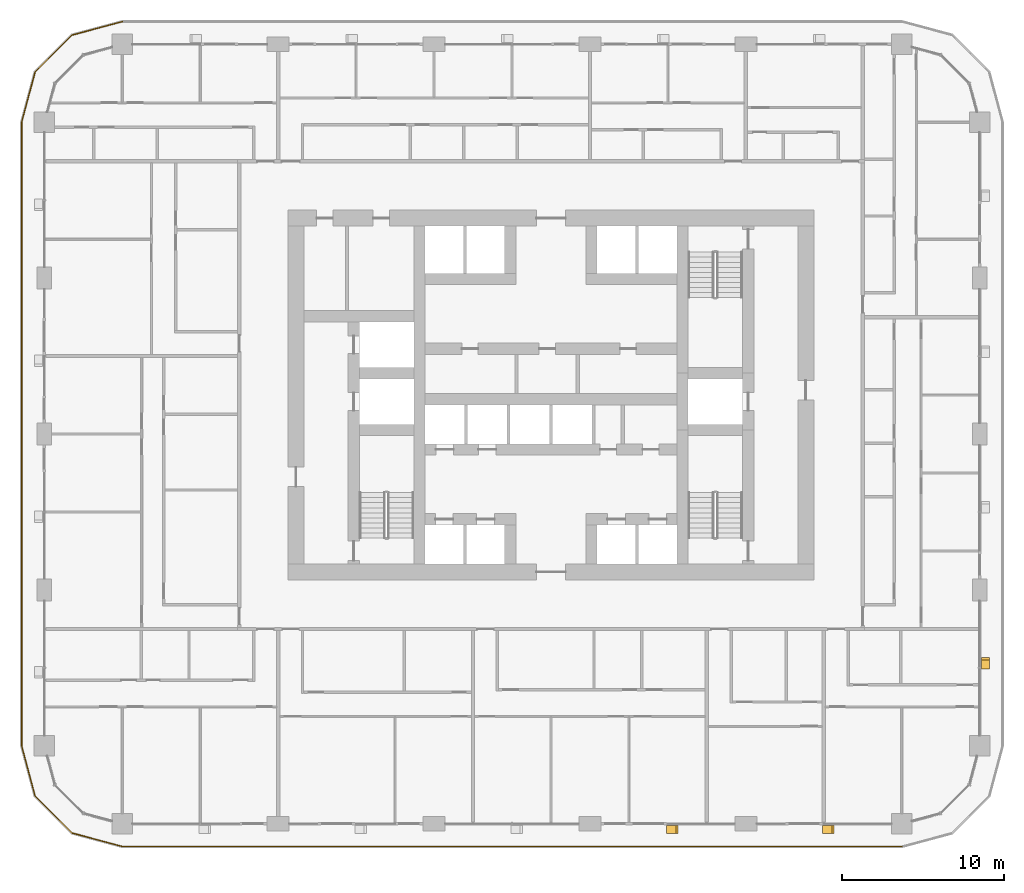
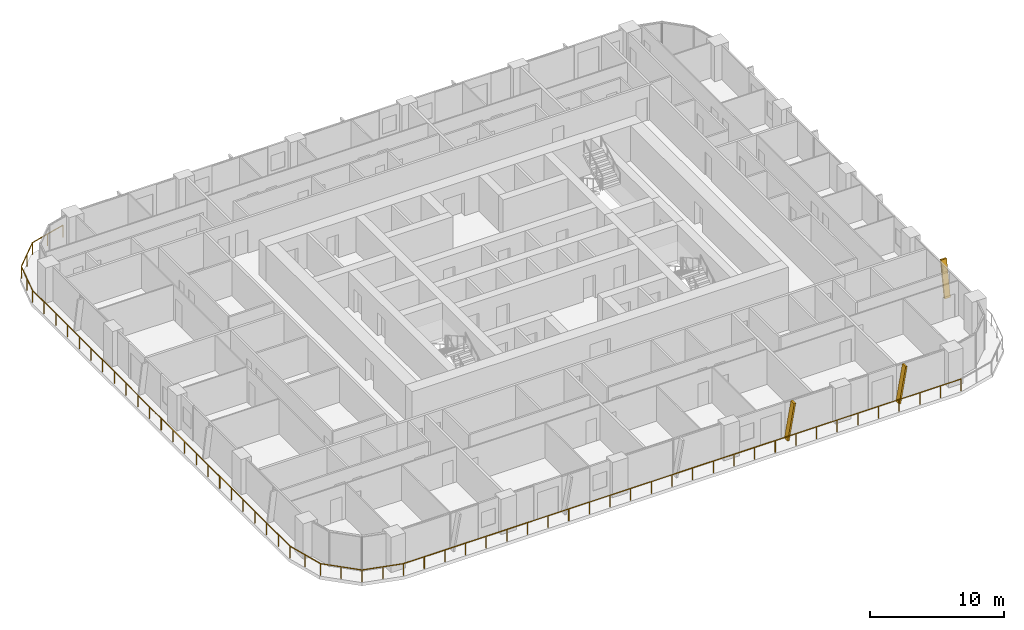
# One storey, part 18 of 21: 3 shading devices, 1 railing.
"""IFC4 building model written with IfcOpenShell, lengths in metres."""

import ifcopenshell
import ifcopenshell.guid

model = None  # the IFC model being written
_history = None  # IfcOwnerHistory: only IFC2X3 demands one
_inside = {}  # id of a spatial element -> (the spatial element, [elements in it])
_under = {}  # id of a project, library or spatial element -> (it, [spatial elements below it])
_declared = {}  # id of a project -> (the project, [libraries it declares])
_typed = {}  # id of a type object -> (the type object, [elements of that type])
_made_of = {}  # id of a material, layer set ... -> (it, [elements and type objects made of it])


def new_model(schema):
    """Start an empty IFC model of exactly this schema.

    Asked for "IFC4X3", IfcOpenShell would pick the latest addendum, in which some entities
    have other attributes; the version numbers below select the first issue.
    IFC2X3 requires an IfcOwnerHistory on every rooted entity: one is made here for all.
    """
    global model, _history
    if schema == "IFC4X3":
        model = ifcopenshell.file(schema_version=(4, 3, 0, 0))
    else:
        model = ifcopenshell.file(schema=schema)
    _inside.clear()
    _under.clear()
    _declared.clear()
    _typed.clear()
    _made_of.clear()
    _history = None
    if model.schema == "IFC2X3":
        org = make("IfcOrganization", Name="unknown")
        user = make(
            "IfcPersonAndOrganization",
            ThePerson=make("IfcPerson", FamilyName="unknown"),
            TheOrganization=org,
        )
        app = make(
            "IfcApplication",
            ApplicationDeveloper=org,
            Version="unknown",
            ApplicationFullName="unknown",
            ApplicationIdentifier="unknown",
        )
        _history = make(
            "IfcOwnerHistory",
            OwningUser=user,
            OwningApplication=app,
            ChangeAction="ADDED",
            CreationDate=0,
        )
    return model


def make(cls, **values):
    """One entity of the class cls with the attributes given. An attribute that is None is left unset."""
    return model.create_entity(
        cls, **{name: value for name, value in values.items() if value is not None}
    )


def rooted(cls, **values):
    """An entity with a GlobalId (a new one), such as an element, a storey or a relation."""
    return make(cls, GlobalId=ifcopenshell.guid.new(), OwnerHistory=_history, **values)


def si_unit(unit_type, name, prefix=None):
    """IfcSIUnit, for example si_unit("LENGTHUNIT", "METRE", prefix="MILLI")."""
    return make("IfcSIUnit", UnitType=unit_type, Prefix=prefix, Name=name)


def assignment(units):
    """IfcUnitAssignment: the units of a project."""
    return None if units is None else make("IfcUnitAssignment", Units=units)


def point(xyz):
    """IfcCartesianPoint."""
    return None if xyz is None else make("IfcCartesianPoint", Coordinates=xyz)


def direction(xyz):
    """IfcDirection."""
    return None if xyz is None else make("IfcDirection", DirectionRatios=xyz)


def frame(location, z_axis=None, x_axis=None):
    """IfcAxis2Placement3D, a coordinate frame: its origin and axes. An axis left out is left unset."""
    return make(
        "IfcAxis2Placement3D",
        Location=point(location),
        Axis=direction(z_axis),
        RefDirection=direction(x_axis),
    )


def frame_2d(location, x_axis=None):
    """IfcAxis2Placement2D, a coordinate frame in the plane: its origin and x axis."""
    return make(
        "IfcAxis2Placement2D", Location=point(location), RefDirection=direction(x_axis)
    )


def origin():
    """The frame at (0, 0, 0) with its axes left unset."""
    return frame((0.0, 0.0, 0.0))


def origin_2d():
    """The frame at (0, 0) in the plane with its x axis left unset."""
    return frame_2d((0.0, 0.0))


def place(relative_to, where):
    """IfcLocalPlacement: puts the frame where relative to a parent placement (None: the world)."""
    return make(
        "IfcLocalPlacement", PlacementRelTo=relative_to, RelativePlacement=where
    )


def context(
    kind, dimensions, precision=None, world=None, true_north=None, identifier=None
):
    """IfcGeometricRepresentationContext, for example the 3D "Model" context."""
    return make(
        "IfcGeometricRepresentationContext",
        ContextIdentifier=identifier,
        ContextType=kind,
        CoordinateSpaceDimension=dimensions,
        Precision=precision,
        WorldCoordinateSystem=world,
        TrueNorth=true_north,
    )


def subcontext(parent, identifier, kind, view, scale=None):
    """IfcGeometricRepresentationSubContext, for example "Body" below "Model"."""
    return make(
        "IfcGeometricRepresentationSubContext",
        ContextIdentifier=identifier,
        ContextType=kind,
        ParentContext=parent,
        TargetScale=scale,
        TargetView=view,
    )


def project(units=None, contexts=None):
    """IfcProject with its units and contexts."""
    return rooted(
        "IfcProject",
        Name="project",
        RepresentationContexts=contexts,
        UnitsInContext=assignment(units),
    )


def spatial(cls, under=None, at=None, **own):
    """A site, building, storey or space (cls), placed at a placement, below another one or the project."""
    s = rooted(cls, ObjectPlacement=at, **own)
    if under is not None:
        _under.setdefault(under.id(), (under, []))[1].append(s)
    return s


def polyline(points):
    """IfcPolyline through the points."""
    return make("IfcPolyline", Points=[point(p) for p in points])


def profile(cls, at=None, kind="AREA", **sizes):
    """A parametric profile (cls). Its sizes go by their IFC names, for example OverallWidth=200.0."""
    return make(cls, ProfileType=kind, Position=at, **sizes)


def circle(**sizes):
    """IfcCircleProfileDef."""
    return profile("IfcCircleProfileDef", **sizes)


def outline(outer, holes=None, kind="AREA"):
    """IfcArbitraryClosedProfileDef: a profile drawn as a closed curve; with holes, ...WithVoids."""
    if holes is None:
        return make("IfcArbitraryClosedProfileDef", ProfileType=kind, OuterCurve=outer)
    return make(
        "IfcArbitraryProfileDefWithVoids",
        ProfileType=kind,
        OuterCurve=outer,
        InnerCurves=holes,
    )


def extrude(swept, where, along, depth):
    """IfcExtrudedAreaSolid: the profile swept, set in the frame where, extruded along a direction by depth."""
    return make(
        "IfcExtrudedAreaSolid",
        SweptArea=swept,
        Position=where,
        ExtrudedDirection=direction(along),
        Depth=depth,
    )


def shape(context_of_items, identifier, shape_type, items):
    """IfcShapeRepresentation: the items that make up one representation, for example the "Body"."""
    return make(
        "IfcShapeRepresentation",
        ContextOfItems=context_of_items,
        RepresentationIdentifier=identifier,
        RepresentationType=shape_type,
        Items=items,
    )


def material(Name=None, Category=None):
    """IfcMaterial."""
    return make("IfcMaterial", Name=Name, Category=Category)


def made_of(thing, what):
    """Note that an element or type object is made of a material, layer set ...; save() writes the relation."""
    if what is not None:
        _made_of.setdefault(what.id(), (what, []))[1].append(thing)
    return thing


def type_object(cls, material=None, **own):
    """A type object (cls), such as IfcWallType, which elements share."""
    return made_of(rooted(cls, **own), material)


def element(
    cls,
    number,
    at=None,
    inside=None,
    cuts=None,
    type_object=None,
    material=None,
    context=None,
    identifier="Body",
    shape_type=None,
    held_by="IfcProductDefinitionShape",
    body=None,
    shapes=None,
    **own,
):
    """One element of the class cls, such as IfcWall. Its Tag is "e" and its number.

    at: its placement. inside: the storey or other place that contains it. cuts: it is an
    opening in that element (IfcRelVoidsElement). A single representation is given by context,
    identifier, shape_type and body (its items); several are given by shapes. held_by: the class
    of the entity that holds the representations. save() writes the other relations.
    """
    e = rooted(cls, Tag="e%d" % number, ObjectPlacement=at, **own)
    if body is not None:
        shapes = [shape(context, identifier, shape_type, body)]
    if shapes is not None:
        e.Representation = make(held_by, Representations=shapes)
    if inside is not None:
        _inside.setdefault(inside.id(), (inside, []))[1].append(e)
    if cuts is not None:
        rooted(
            "IfcRelVoidsElement", RelatingBuildingElement=cuts, RelatedOpeningElement=e
        )
    if type_object is not None:
        _typed.setdefault(type_object.id(), (type_object, []))[1].append(e)
    return made_of(e, material)


def aggregate(whole, parts):
    """IfcRelAggregates: a whole, such as a stair, and the parts it consists of."""
    return rooted("IfcRelAggregates", RelatingObject=whole, RelatedObjects=parts)


def save(model, path):
    """Write the relations noted so far, then the file.

    IfcRelAggregates (storeys below a building ...), IfcRelContainedInSpatialStructure (elements
    in a storey), IfcRelDefinesByType, IfcRelAssociatesMaterial and IfcRelDeclares: one each for
    every whole, place, type object, material and project.
    """
    for whole, parts in _under.values():
        aggregate(whole, parts)
    for where, things in _inside.values():
        rooted(
            "IfcRelContainedInSpatialStructure",
            RelatedElements=things,
            RelatingStructure=where,
        )
    for kind, things in _typed.values():
        rooted("IfcRelDefinesByType", RelatedObjects=things, RelatingType=kind)
    for what, things in _made_of.values():
        rooted("IfcRelAssociatesMaterial", RelatedObjects=things, RelatingMaterial=what)
    for by, libraries in _declared.values():
        rooted("IfcRelDeclares", RelatingContext=by, RelatedDefinitions=libraries)
    model.write(path)


model = new_model("IFC4")

# Units and contexts
model_context = context("Model", 3, precision=1e-05, world=origin(), true_north=direction((0.0, 1.0)))
body_context = subcontext(model_context, "Body", "Model", "MODEL_VIEW")
ifc_project = project(units=[si_unit("LENGTHUNIT", "METRE"), si_unit("AREAUNIT", "SQUARE_METRE"), si_unit("VOLUMEUNIT", "CUBIC_METRE"), si_unit("PLANEANGLEUNIT", "RADIAN"), si_unit("MASSUNIT", "GRAM", prefix="KILO")], contexts=[model_context])

# Site, building, storey
site_placement = place(None, origin())
site = spatial("IfcSite", under=ifc_project, at=site_placement, CompositionType="ELEMENT")
building_placement = place(site_placement, origin())
building = spatial("IfcBuilding", under=site, at=building_placement, Name="Madar Terraces", CompositionType="ELEMENT")
storey_placement = place(building_placement, frame((0.0, 0.0, 32.89990234375)))
storey = spatial("IfcBuildingStorey", under=building, at=storey_placement, Name="L07", CompositionType="ELEMENT", Elevation=32.89990234375)

# Railing
ifc_material_1 = material(Name="Glass, safety glazing, with stainless steel posts", Category="steel")
railing_type = type_object("IfcRailingType", Name="Balcony glass guard 1100", PredefinedType="GUARDRAIL", material=ifc_material_1)
railing_placement = place(storey_placement, frame((4.800048828125, 49.39990234375, 0.0)))
element("IfcRailing", 1, at=railing_placement, inside=storey, type_object=railing_type, Name="Balcony guard", PredefinedType="GUARDRAIL", context=body_context, shape_type="SweptSolid", body=[
    extrude(circle(Radius=0.02392578125, at=origin_2d()), frame((0.0, 0.0, 1.076171875), z_axis=(-0.9659337912, -0.258789317819, 0.0), x_axis=(0.258789317819, -0.9659337912, 0.0)), (0.0, 0.0, 1.0), 3.20947265625),
    extrude(circle(Radius=0.02392578125, at=origin_2d()), frame((-3.10009765625, -0.83056640625, 1.076171875), z_axis=(-0.707106781187, -0.707106781187, 0.0), x_axis=(0.707106781187, -0.707106781187, 0.0)), (0.0, 0.0, 1.0), 3.209228515625),
    extrude(circle(Radius=0.02392578125, at=origin_2d()), frame((-5.369384765625, -3.099853515625, 1.076171875), z_axis=(-0.258789317819, -0.9659337912, 0.0), x_axis=(0.9659337912, -0.258789317819, 0.0)), (0.0, 0.0, 1.0), 3.20947265625),
    extrude(circle(Radius=0.02392578125, at=origin_2d()), frame((-6.199951171875, -6.199951171875, 1.076171875), z_axis=(0.0, -1.0, 0.0), x_axis=(1.0, 0.0, 0.0)), (0.0, 0.0, 1.0), 38.39990234375),
    extrude(circle(Radius=0.02392578125, at=origin_2d()), frame((-6.199951171875, -44.599853515625, 1.076171875), z_axis=(0.258789317819, -0.9659337912, 0.0), x_axis=(0.9659337912, 0.258789317819, 0.0)), (0.0, 0.0, 1.0), 3.20947265625),
    extrude(circle(Radius=0.02392578125, at=origin_2d()), frame((-5.369384765625, -47.699951171875, 1.076171875), z_axis=(0.707106781187, -0.707106781187, 0.0), x_axis=(0.707106781187, 0.707106781187, 0.0)), (0.0, 0.0, 1.0), 3.209228515625),
    extrude(circle(Radius=0.02392578125, at=origin_2d()), frame((-3.10009765625, -49.96923828125, 1.076171875), z_axis=(0.9659337912, -0.258789317819, 0.0), x_axis=(0.258789317819, 0.9659337912, 0.0)), (0.0, 0.0, 1.0), 3.20947265625),
    extrude(circle(Radius=0.02392578125, at=origin_2d()), frame((0.0, -50.7998046875, 1.076171875), z_axis=(1.0, 0.0, 0.0), x_axis=(0.0, 1.0, 0.0)), (0.0, 0.0, 1.0), 48.0),
    extrude(circle(Radius=0.02099609375, at=origin_2d()), origin(), (0.0, 0.0, 1.0), 1.052001953125),
    extrude(circle(Radius=0.02099609375, at=origin_2d()), frame((-1.550048828125, -0.415283203125, 0.0)), (0.0, 0.0, 1.0), 1.052001953125),
    extrude(circle(Radius=0.02099609375, at=origin_2d()), frame((-3.10009765625, -0.83056640625, 0.0)), (0.0, 0.0, 1.0), 1.052001953125),
    extrude(circle(Radius=0.02099609375, at=origin_2d()), frame((-4.23486328125, -1.96533203125, 0.0)), (0.0, 0.0, 1.0), 1.052001953125),
    extrude(circle(Radius=0.02099609375, at=origin_2d()), frame((-5.369384765625, -3.099853515625, 0.0)), (0.0, 0.0, 1.0), 1.052001953125),
    extrude(circle(Radius=0.02099609375, at=origin_2d()), frame((-5.78466796875, -4.64990234375, 0.0)), (0.0, 0.0, 1.0), 1.052001953125),
    extrude(circle(Radius=0.02099609375, at=origin_2d()), frame((-6.199951171875, -6.199951171875, 0.0)), (0.0, 0.0, 1.0), 1.052001953125),
    extrude(circle(Radius=0.02099609375, at=origin_2d()), frame((-6.199951171875, -7.9453125, 0.0)), (0.0, 0.0, 1.0), 1.052001953125),
    extrude(circle(Radius=0.02099609375, at=origin_2d()), frame((-6.199951171875, -9.69091796875, 0.0)), (0.0, 0.0, 1.0), 1.052001953125),
    extrude(circle(Radius=0.02099609375, at=origin_2d()), frame((-6.199951171875, -11.436279296875, 0.0)), (0.0, 0.0, 1.0), 1.052001953125),
    extrude(circle(Radius=0.02099609375, at=origin_2d()), frame((-6.199951171875, -13.181640625, 0.0)), (0.0, 0.0, 1.0), 1.052001953125),
    extrude(circle(Radius=0.02099609375, at=origin_2d()), frame((-6.199951171875, -14.92724609375, 0.0)), (0.0, 0.0, 1.0), 1.052001953125),
    extrude(circle(Radius=0.02099609375, at=origin_2d()), frame((-6.199951171875, -16.672607421875, 0.0)), (0.0, 0.0, 1.0), 1.052001953125),
    extrude(circle(Radius=0.02099609375, at=origin_2d()), frame((-6.199951171875, -18.418212890625, 0.0)), (0.0, 0.0, 1.0), 1.052001953125),
    extrude(circle(Radius=0.02099609375, at=origin_2d()), frame((-6.199951171875, -20.16357421875, 0.0)), (0.0, 0.0, 1.0), 1.052001953125),
    extrude(circle(Radius=0.02099609375, at=origin_2d()), frame((-6.199951171875, -21.908935546875, 0.0)), (0.0, 0.0, 1.0), 1.052001953125),
    extrude(circle(Radius=0.02099609375, at=origin_2d()), frame((-6.199951171875, -23.654541015625, 0.0)), (0.0, 0.0, 1.0), 1.052001953125),
    extrude(circle(Radius=0.02099609375, at=origin_2d()), frame((-6.199951171875, -25.39990234375, 0.0)), (0.0, 0.0, 1.0), 1.052001953125),
    extrude(circle(Radius=0.02099609375, at=origin_2d()), frame((-6.199951171875, -27.145263671875, 0.0)), (0.0, 0.0, 1.0), 1.052001953125),
    extrude(circle(Radius=0.02099609375, at=origin_2d()), frame((-6.199951171875, -28.890869140625, 0.0)), (0.0, 0.0, 1.0), 1.052001953125),
    extrude(circle(Radius=0.02099609375, at=origin_2d()), frame((-6.199951171875, -30.63623046875, 0.0)), (0.0, 0.0, 1.0), 1.052001953125),
    extrude(circle(Radius=0.02099609375, at=origin_2d()), frame((-6.199951171875, -32.381591796875, 0.0)), (0.0, 0.0, 1.0), 1.052001953125),
    extrude(circle(Radius=0.02099609375, at=origin_2d()), frame((-6.199951171875, -34.127197265625, 0.0)), (0.0, 0.0, 1.0), 1.052001953125),
    extrude(circle(Radius=0.02099609375, at=origin_2d()), frame((-6.199951171875, -35.87255859375, 0.0)), (0.0, 0.0, 1.0), 1.052001953125),
    extrude(circle(Radius=0.02099609375, at=origin_2d()), frame((-6.199951171875, -37.6181640625, 0.0)), (0.0, 0.0, 1.0), 1.052001953125),
    extrude(circle(Radius=0.02099609375, at=origin_2d()), frame((-6.199951171875, -39.363525390625, 0.0)), (0.0, 0.0, 1.0), 1.052001953125),
    extrude(circle(Radius=0.02099609375, at=origin_2d()), frame((-6.199951171875, -41.10888671875, 0.0)), (0.0, 0.0, 1.0), 1.052001953125),
    extrude(circle(Radius=0.02099609375, at=origin_2d()), frame((-6.199951171875, -42.8544921875, 0.0)), (0.0, 0.0, 1.0), 1.052001953125),
    extrude(circle(Radius=0.02099609375, at=origin_2d()), frame((-6.199951171875, -44.599853515625, 0.0)), (0.0, 0.0, 1.0), 1.052001953125),
    extrude(circle(Radius=0.02099609375, at=origin_2d()), frame((-5.78466796875, -46.14990234375, 0.0)), (0.0, 0.0, 1.0), 1.052001953125),
    extrude(circle(Radius=0.02099609375, at=origin_2d()), frame((-5.369384765625, -47.699951171875, 0.0)), (0.0, 0.0, 1.0), 1.052001953125),
    extrude(circle(Radius=0.02099609375, at=origin_2d()), frame((-4.23486328125, -48.83447265625, 0.0)), (0.0, 0.0, 1.0), 1.052001953125),
    extrude(circle(Radius=0.02099609375, at=origin_2d()), frame((-3.10009765625, -49.96923828125, 0.0)), (0.0, 0.0, 1.0), 1.052001953125),
    extrude(circle(Radius=0.02099609375, at=origin_2d()), frame((-1.550048828125, -50.384521484375, 0.0)), (0.0, 0.0, 1.0), 1.052001953125),
    extrude(circle(Radius=0.02099609375, at=origin_2d()), frame((0.0, -50.7998046875, 0.0)), (0.0, 0.0, 1.0), 1.052001953125),
    extrude(circle(Radius=0.02099609375, at=origin_2d()), frame((1.77783203125, -50.7998046875, 0.0)), (0.0, 0.0, 1.0), 1.052001953125),
    extrude(circle(Radius=0.02099609375, at=origin_2d()), frame((3.5556640625, -50.7998046875, 0.0)), (0.0, 0.0, 1.0), 1.052001953125),
    extrude(circle(Radius=0.02099609375, at=origin_2d()), frame((5.333251953125, -50.7998046875, 0.0)), (0.0, 0.0, 1.0), 1.052001953125),
    extrude(circle(Radius=0.02099609375, at=origin_2d()), frame((7.111083984375, -50.7998046875, 0.0)), (0.0, 0.0, 1.0), 1.052001953125),
    extrude(circle(Radius=0.02099609375, at=origin_2d()), frame((8.888916015625, -50.7998046875, 0.0)), (0.0, 0.0, 1.0), 1.052001953125),
    extrude(circle(Radius=0.02099609375, at=origin_2d()), frame((10.666748046875, -50.7998046875, 0.0)), (0.0, 0.0, 1.0), 1.052001953125),
    extrude(circle(Radius=0.02099609375, at=origin_2d()), frame((12.4443359375, -50.7998046875, 0.0)), (0.0, 0.0, 1.0), 1.052001953125),
    extrude(circle(Radius=0.02099609375, at=origin_2d()), frame((14.22216796875, -50.7998046875, 0.0)), (0.0, 0.0, 1.0), 1.052001953125),
    extrude(circle(Radius=0.02099609375, at=origin_2d()), frame((16.0, -50.7998046875, 0.0)), (0.0, 0.0, 1.0), 1.052001953125),
    extrude(circle(Radius=0.02099609375, at=origin_2d()), frame((17.77783203125, -50.7998046875, 0.0)), (0.0, 0.0, 1.0), 1.052001953125),
    extrude(circle(Radius=0.02099609375, at=origin_2d()), frame((19.5556640625, -50.7998046875, 0.0)), (0.0, 0.0, 1.0), 1.052001953125),
    extrude(circle(Radius=0.02099609375, at=origin_2d()), frame((21.333251953125, -50.7998046875, 0.0)), (0.0, 0.0, 1.0), 1.052001953125),
    extrude(circle(Radius=0.02099609375, at=origin_2d()), frame((23.111083984375, -50.7998046875, 0.0)), (0.0, 0.0, 1.0), 1.052001953125),
    extrude(circle(Radius=0.02099609375, at=origin_2d()), frame((24.888916015625, -50.7998046875, 0.0)), (0.0, 0.0, 1.0), 1.052001953125),
    extrude(circle(Radius=0.02099609375, at=origin_2d()), frame((26.666748046875, -50.7998046875, 0.0)), (0.0, 0.0, 1.0), 1.052001953125),
    extrude(circle(Radius=0.02099609375, at=origin_2d()), frame((28.4443359375, -50.7998046875, 0.0)), (0.0, 0.0, 1.0), 1.052001953125),
    extrude(circle(Radius=0.02099609375, at=origin_2d()), frame((30.22216796875, -50.7998046875, 0.0)), (0.0, 0.0, 1.0), 1.052001953125),
    extrude(circle(Radius=0.02099609375, at=origin_2d()), frame((32.0, -50.7998046875, 0.0)), (0.0, 0.0, 1.0), 1.052001953125),
    extrude(circle(Radius=0.02099609375, at=origin_2d()), frame((33.77783203125, -50.7998046875, 0.0)), (0.0, 0.0, 1.0), 1.052001953125),
    extrude(circle(Radius=0.02099609375, at=origin_2d()), frame((35.5556640625, -50.7998046875, 0.0)), (0.0, 0.0, 1.0), 1.052001953125),
    extrude(circle(Radius=0.02099609375, at=origin_2d()), frame((37.333251953125, -50.7998046875, 0.0)), (0.0, 0.0, 1.0), 1.052001953125),
    extrude(circle(Radius=0.02099609375, at=origin_2d()), frame((39.111083984375, -50.7998046875, 0.0)), (0.0, 0.0, 1.0), 1.052001953125),
    extrude(circle(Radius=0.02099609375, at=origin_2d()), frame((40.888916015625, -50.7998046875, 0.0)), (0.0, 0.0, 1.0), 1.052001953125),
    extrude(circle(Radius=0.02099609375, at=origin_2d()), frame((42.666748046875, -50.7998046875, 0.0)), (0.0, 0.0, 1.0), 1.052001953125),
    extrude(circle(Radius=0.02099609375, at=origin_2d()), frame((44.4443359375, -50.7998046875, 0.0)), (0.0, 0.0, 1.0), 1.052001953125),
    extrude(circle(Radius=0.02099609375, at=origin_2d()), frame((46.22216796875, -50.7998046875, 0.0)), (0.0, 0.0, 1.0), 1.052001953125),
    extrude(circle(Radius=0.02099609375, at=origin_2d()), frame((48.0, -50.7998046875, 0.0)), (0.0, 0.0, 1.0), 1.052001953125),
])

# Shading devices
ifc_material_2 = material(Name="Aluminium, black anodised", Category="aluminium")
shading_device_type = type_object("IfcShadingDeviceType", Name="Facade fin blade 140 x 500", PredefinedType="USERDEFINED", material=ifc_material_2)
shading_device_1_placement = place(storey_placement, frame((38.330078125, -0.35009765625, 0.0), z_axis=(0.0, 0.0, 1.0), x_axis=(1.0, 0.0, 0.0)))
element("IfcShadingDevice", 2, at=shading_device_1_placement, inside=storey, type_object=shading_device_type, Name="FIN L07 S4", ObjectType="FIN", PredefinedType="USERDEFINED", context=body_context, shape_type="SweptSolid", body=[
    extrude(outline(polyline([(0.0, 0.0), (0.139892578125, 0.0), (0.704345703125, 3.2001953125), (0.564208984375, 3.2001953125), (0.0, 0.0)])), frame((0.0, 0.25, 0.0), z_axis=(0.0, -1.0, 0.0), x_axis=(1.0, 0.0, 0.0)), (0.0, 0.0, 1.0), 0.5),
])
shading_device_2_placement = place(storey_placement, frame((47.929931640625, -0.35009765625, 0.0), z_axis=(0.0, 0.0, 1.0), x_axis=(1.0, 0.0, 0.0)))
element("IfcShadingDevice", 3, at=shading_device_2_placement, inside=storey, type_object=shading_device_type, Name="FIN L07 S5", ObjectType="FIN", PredefinedType="USERDEFINED", context=body_context, shape_type="SweptSolid", body=[
    extrude(outline(polyline([(0.0, 0.0), (0.14013671875, 0.0), (0.704345703125, 3.2001953125), (0.564208984375, 3.2001953125), (0.0, 0.0)])), frame((0.0, 0.25, 0.0), z_axis=(0.0, -1.0, 0.0), x_axis=(1.0, 0.0, 0.0)), (0.0, 0.0, 1.0), 0.5),
])
shading_device_3_placement = place(storey_placement, frame((57.949951171875, 9.530029296875, 0.0), z_axis=(0.0, 0.0, 1.0), x_axis=(0.0, 1.0, 0.0)))
element("IfcShadingDevice", 4, at=shading_device_3_placement, inside=storey, type_object=shading_device_type, Name="FIN L07 E1", ObjectType="FIN", PredefinedType="USERDEFINED", context=body_context, shape_type="SweptSolid", body=[
    extrude(outline(polyline([(0.0, 0.0), (0.139892578125, 0.0), (0.704345703125, 3.2001953125), (0.564208984375, 3.2001953125), (0.0, 0.0)])), frame((0.0, 0.25, 0.0), z_axis=(0.0, -1.0, 0.0), x_axis=(1.0, 0.0, 0.0)), (0.0, 0.0, 1.0), 0.5),
])

save(model, "model.ifc")
